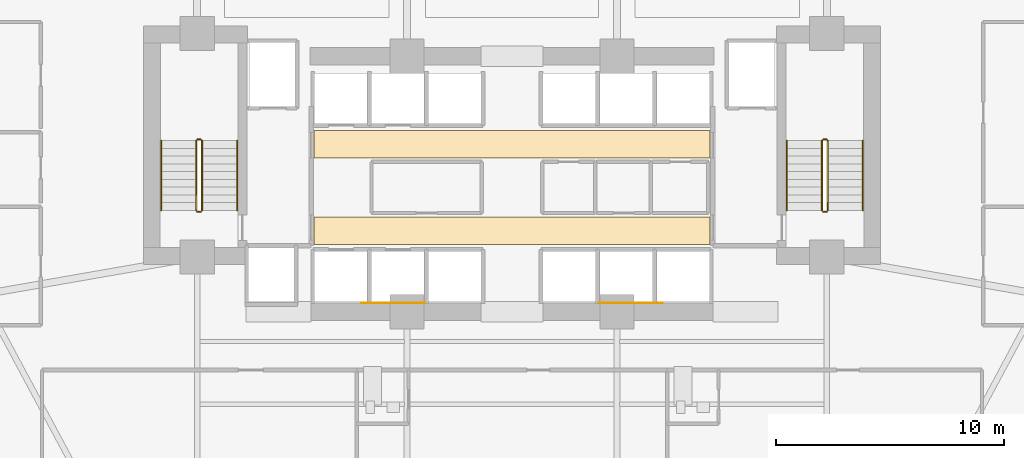
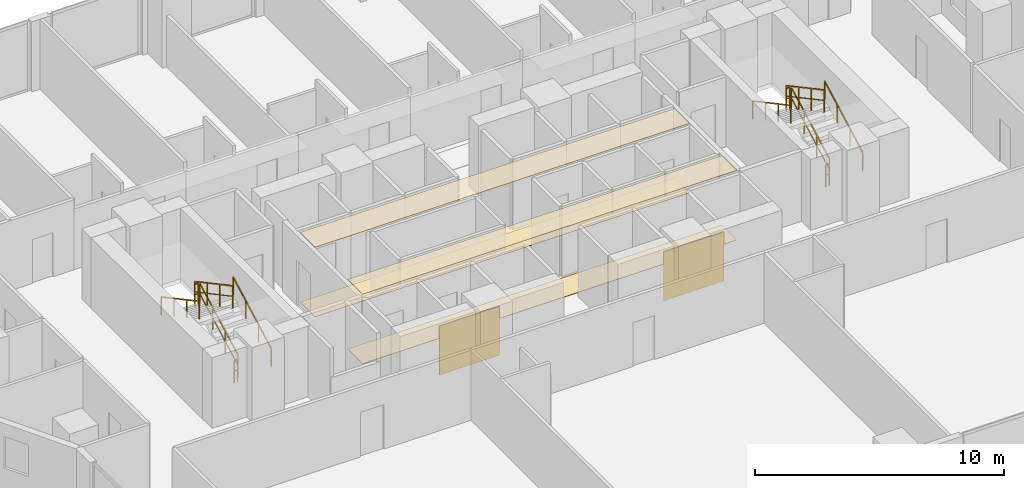
# One storey, part 27 of 29: 12 railings, 6 coverings.
"""IFC4 building model written with IfcOpenShell, lengths in metres."""

from ifc_helpers import new_model, si_unit, direction, frame, origin, origin_2d, place, context, subcontext, project, spatial, polyline, rectangle, outline, extrude, material, layer, layer_set, type_object, element, save


model = new_model("IFC4")

# Units and contexts
model_context = context("Model", 3, precision=1e-05, world=origin(), true_north=direction((0.0, 1.0)))
body_context = subcontext(model_context, "Body", "Model", "MODEL_VIEW")
ifc_project = project(units=[si_unit("LENGTHUNIT", "METRE"), si_unit("AREAUNIT", "SQUARE_METRE"), si_unit("VOLUMEUNIT", "CUBIC_METRE"), si_unit("PLANEANGLEUNIT", "RADIAN"), si_unit("MASSUNIT", "GRAM", prefix="KILO")], contexts=[model_context])

# Site, building, storey
site_placement = place(None, origin())
site = spatial("IfcSite", under=ifc_project, at=site_placement, CompositionType="ELEMENT")
building_placement = place(site_placement, origin())
building = spatial("IfcBuilding", under=site, at=building_placement, Name="Zuhayl Quay Hotel", CompositionType="ELEMENT")
storey_placement = place(building_placement, frame((0.0, 0.0, 113.89990234375)))
storey = spatial("IfcBuildingStorey", under=building, at=storey_placement, Name="L28", CompositionType="ELEMENT", Elevation=113.89990234375)

# Coverings
ifc_material_1 = material(Name="Acoustic Mineral-Fibre Gypsum Board")
ifc_layer_1 = layer(ifc_material_1, 0.02490234375, Name="Acoustic Mineral-Fibre Gypsum Board")
ifc_layer_set_1 = layer_set([ifc_layer_1], Name="Acoustic Mineral-Fibre Gypsum Board")
covering_type_1 = type_object("IfcCoveringType", Name="CV_CEIL_ACOUSTIC", PredefinedType="CEILING", material=ifc_layer_set_1)
covering_1_placement = place(storey_placement, frame((0.0, 0.0, 3.405029296875)))
element("IfcCovering", 1, at=covering_1_placement, inside=storey, type_object=covering_type_1, Name="L28 Suspended Acoustic Lobby Ceiling S", PredefinedType="CEILING", context=body_context, shape_type="SweptSolid", body=[
    extrude(outline(polyline([(-8.679931640625, 5.10009765625), (8.679931640625, 5.10009765625), (8.679931640625, 6.300048828125), (-8.679931640625, 6.300048828125), (-8.679931640625, 5.10009765625)])), origin(), (0.0, 0.0, 1.0), 0.025146484375),
])
covering_2_placement = place(storey_placement, frame((0.0, 0.0, 3.405029296875)))
element("IfcCovering", 2, at=covering_2_placement, inside=storey, type_object=covering_type_1, Name="L28 Suspended Acoustic Lobby Ceiling N", PredefinedType="CEILING", context=body_context, shape_type="SweptSolid", body=[
    extrude(outline(polyline([(-8.679931640625, 8.89990234375), (8.679931640625, 8.89990234375), (8.679931640625, 10.10009765625), (-8.679931640625, 10.10009765625), (-8.679931640625, 8.89990234375)])), origin(), (0.0, 0.0, 1.0), 0.025146484375),
])
ifc_material_2 = material(Name="Polished Limestone Terrazzo", Category="masonry")
ifc_layer_2 = layer(ifc_material_2, 0.02001953125, Name="Polished Limestone Terrazzo", Category="masonry")
ifc_layer_set_2 = layer_set([ifc_layer_2], Name="Polished Limestone Terrazzo")
covering_type_2 = type_object("IfcCoveringType", Name="CV_FLOOR_TERRAZZO", PredefinedType="FLOORING", material=ifc_layer_set_2)
covering_3_placement = place(storey_placement, origin())
element("IfcCovering", 3, at=covering_3_placement, inside=storey, type_object=covering_type_2, Name="L28 Honed Limestone Terrazzo Lobby Flooring S", PredefinedType="FLOORING", context=body_context, shape_type="SweptSolid", body=[
    extrude(outline(polyline([(-8.679931640625, 5.10009765625), (8.679931640625, 5.10009765625), (8.679931640625, 6.300048828125), (-8.679931640625, 6.300048828125), (-8.679931640625, 5.10009765625)])), origin(), (0.0, 0.0, 1.0), 0.02001953125),
])
covering_4_placement = place(storey_placement, origin())
element("IfcCovering", 4, at=covering_4_placement, inside=storey, type_object=covering_type_2, Name="L28 Honed Limestone Terrazzo Lobby Flooring N", PredefinedType="FLOORING", context=body_context, shape_type="SweptSolid", body=[
    extrude(outline(polyline([(-8.679931640625, 8.89990234375), (8.679931640625, 8.89990234375), (8.679931640625, 10.10009765625), (-8.679931640625, 10.10009765625), (-8.679931640625, 8.89990234375)])), origin(), (0.0, 0.0, 1.0), 0.02001953125),
])
ifc_material_3 = material(Name="Acoustic Walnut Feature Timber", Category="wood")
ifc_layer_3 = layer(ifc_material_3, 0.02197265625, Name="Acoustic Walnut Feature Timber", Category="wood")
ifc_layer_set_3 = layer_set([ifc_layer_3], Name="Acoustic Walnut Feature Timber")
covering_type_3 = type_object("IfcCoveringType", Name="CV_WALL_CLAD", PredefinedType="CLADDING", material=ifc_layer_set_3)
for number, where, z_axis, x_axis, name in (
    (5, (-5.199951171875, 2.535888671875, 0.300048828125), (0.0, 0.0, 1.0), (1.0, 0.0, 0.0), "L28 Feature Lobby Walnut Wall Cladding W"),
    (6, (5.199951171875, 2.535888671875, 0.300048828125), (0.0, 0.0, 1.0), (1.0, 0.0, 0.0), "L28 Feature Lobby Walnut Wall Cladding E"),
):
    element("IfcCovering", number, at=place(storey_placement, frame(where, z_axis=z_axis, x_axis=x_axis)), inside=storey, type_object=covering_type_3, Name=name, PredefinedType="CLADDING", context=body_context, shape_type="SweptSolid", body=[
        extrude(rectangle(XDim=2.800048828125, YDim=0.02197265625, at=origin_2d()), origin(), (0.0, 0.0, 1.0), 2.39990234375),
    ])

# Railings
ifc_material_4 = material(Name="Steel ASTM A992 Grade 50", Category="steel")
railing_type_1 = type_object("IfcRailingType", Name="RL_GUARD_1100", PredefinedType="GUARDRAIL", material=ifc_material_4)
railing_1_placement = place(storey_placement, frame((-13.590087890625, 6.590087890625, 0.1826171875)))
element("IfcRailing", 7, at=railing_1_placement, inside=storey, type_object=railing_type_1, Name="L28 ST1 stair guard 1", PredefinedType="GUARDRAIL", context=body_context, shape_type="SweptSolid", body=[
    extrude(rectangle(XDim=0.048095703125, YDim=0.048095703125, at=origin_2d()), frame((0.0, 0.0, 1.09619140625), z_axis=(0.0, 0.88107310026, 0.472980117973), x_axis=(-1.0, 0.0, 0.0)), (0.0, 0.0, 1.0), 3.472900390625),
    extrude(rectangle(XDim=0.0361328125, YDim=0.0361328125, at=origin_2d()), frame((0.0, 0.0, 0.58251953125), z_axis=(0.0, 0.88107310026, 0.472980117973), x_axis=(-1.0, 0.0, 0.0)), (0.0, 0.0, 1.0), 3.472900390625),
    extrude(rectangle(XDim=0.0419921875, YDim=0.0419921875, at=origin_2d()), origin(), (0.0, 0.0, 1.0), 1.072021484375),
    extrude(rectangle(XDim=0.0419921875, YDim=0.0419921875, at=origin_2d()), frame((0.0, 1.02001953125, 0.547607421875)), (0.0, 0.0, 1.0), 1.072021484375),
    extrude(rectangle(XDim=0.0419921875, YDim=0.0419921875, at=origin_2d()), frame((0.0, 2.039794921875, 1.094970703125)), (0.0, 0.0, 1.0), 1.072021484375),
    extrude(rectangle(XDim=0.0419921875, YDim=0.0419921875, at=origin_2d()), frame((0.0, 3.059814453125, 1.642578125)), (0.0, 0.0, 1.0), 1.072021484375),
])
railing_2_placement = place(storey_placement, frame((-13.639892578125, 9.699951171875, 1.8251953125)))
element("IfcRailing", 8, at=railing_2_placement, inside=storey, type_object=railing_type_1, Name="L28 ST1 stair guard 2", PredefinedType="GUARDRAIL", context=body_context, shape_type="SweptSolid", body=[
    extrude(rectangle(XDim=0.048095703125, YDim=0.048095703125, at=origin_2d()), frame((0.0, 0.0, 1.09619140625), z_axis=(-1.0, 0.0, 0.0), x_axis=(0.0, -1.0, 0.0)), (0.0, 0.0, 1.0), 0.150146484375),
    extrude(rectangle(XDim=0.0361328125, YDim=0.0361328125, at=origin_2d()), frame((0.0, 0.0, 0.58251953125), z_axis=(-1.0, 0.0, 0.0), x_axis=(0.0, -1.0, 0.0)), (0.0, 0.0, 1.0), 0.150146484375),
    extrude(rectangle(XDim=0.0419921875, YDim=0.0419921875, at=origin_2d()), origin(), (0.0, 0.0, 1.0), 1.072021484375),
    extrude(rectangle(XDim=0.0419921875, YDim=0.0419921875, at=origin_2d()), frame((-0.150146484375, 0.0, 0.0)), (0.0, 0.0, 1.0), 1.072021484375),
])
railing_3_placement = place(storey_placement, frame((-13.840087890625, 9.64990234375, 2.007568359375)))
element("IfcRailing", 9, at=railing_3_placement, inside=storey, type_object=railing_type_1, Name="L28 ST1 stair guard 3", PredefinedType="GUARDRAIL", context=body_context, shape_type="SweptSolid", body=[
    extrude(rectangle(XDim=0.048095703125, YDim=0.048095703125, at=origin_2d()), frame((0.0, 0.0, 1.09619140625), z_axis=(0.0, -0.88107310026, 0.472980117973), x_axis=(1.0, 0.0, 0.0)), (0.0, 0.0, 1.0), 3.472900390625),
    extrude(rectangle(XDim=0.0361328125, YDim=0.0361328125, at=origin_2d()), frame((0.0, 0.0, 0.58251953125), z_axis=(0.0, -0.88107310026, 0.472980117973), x_axis=(1.0, 0.0, 0.0)), (0.0, 0.0, 1.0), 3.472900390625),
    extrude(rectangle(XDim=0.0419921875, YDim=0.0419921875, at=origin_2d()), origin(), (0.0, 0.0, 1.0), 1.072021484375),
    extrude(rectangle(XDim=0.0419921875, YDim=0.0419921875, at=origin_2d()), frame((0.0, -1.02001953125, 0.547607421875)), (0.0, 0.0, 1.0), 1.072021484375),
    extrude(rectangle(XDim=0.0419921875, YDim=0.0419921875, at=origin_2d()), frame((0.0, -2.039794921875, 1.094970703125)), (0.0, 0.0, 1.0), 1.072021484375),
    extrude(rectangle(XDim=0.0419921875, YDim=0.0419921875, at=origin_2d()), frame((0.0, -3.059814453125, 1.642578125)), (0.0, 0.0, 1.0), 1.072021484375),
])
railing_4_placement = place(storey_placement, frame((-13.639892578125, 6.5400390625, 0.0)))
element("IfcRailing", 10, at=railing_4_placement, inside=storey, type_object=railing_type_1, Name="L28 ST1 stair guard 4", PredefinedType="GUARDRAIL", context=body_context, shape_type="SweptSolid", body=[
    extrude(rectangle(XDim=0.048095703125, YDim=0.048095703125, at=origin_2d()), frame((0.0, 0.0, 1.09619140625), z_axis=(-1.0, 0.0, 0.0), x_axis=(0.0, -1.0, 0.0)), (0.0, 0.0, 1.0), 0.150146484375),
    extrude(rectangle(XDim=0.0361328125, YDim=0.0361328125, at=origin_2d()), frame((0.0, 0.0, 0.58251953125), z_axis=(-1.0, 0.0, 0.0), x_axis=(0.0, -1.0, 0.0)), (0.0, 0.0, 1.0), 0.150146484375),
    extrude(rectangle(XDim=0.0419921875, YDim=0.0419921875, at=origin_2d()), origin(), (0.0, 0.0, 1.0), 1.072021484375),
    extrude(rectangle(XDim=0.0419921875, YDim=0.0419921875, at=origin_2d()), frame((-0.150146484375, 0.0, 0.0)), (0.0, 0.0, 1.0), 1.072021484375),
])
railing_5_placement = place(storey_placement, frame((13.840087890625, 6.590087890625, 0.1826171875)))
element("IfcRailing", 11, at=railing_5_placement, inside=storey, type_object=railing_type_1, Name="L28 ST2 stair guard 1", PredefinedType="GUARDRAIL", context=body_context, shape_type="SweptSolid", body=[
    extrude(rectangle(XDim=0.048095703125, YDim=0.048095703125, at=origin_2d()), frame((0.0, 0.0, 1.09619140625), z_axis=(0.0, 0.88107310026, 0.472980117973), x_axis=(-1.0, 0.0, 0.0)), (0.0, 0.0, 1.0), 3.472900390625),
    extrude(rectangle(XDim=0.0361328125, YDim=0.0361328125, at=origin_2d()), frame((0.0, 0.0, 0.58251953125), z_axis=(0.0, 0.88107310026, 0.472980117973), x_axis=(-1.0, 0.0, 0.0)), (0.0, 0.0, 1.0), 3.472900390625),
    extrude(rectangle(XDim=0.0419921875, YDim=0.0419921875, at=origin_2d()), origin(), (0.0, 0.0, 1.0), 1.072021484375),
    extrude(rectangle(XDim=0.0419921875, YDim=0.0419921875, at=origin_2d()), frame((0.0, 1.02001953125, 0.547607421875)), (0.0, 0.0, 1.0), 1.072021484375),
    extrude(rectangle(XDim=0.0419921875, YDim=0.0419921875, at=origin_2d()), frame((0.0, 2.039794921875, 1.094970703125)), (0.0, 0.0, 1.0), 1.072021484375),
    extrude(rectangle(XDim=0.0419921875, YDim=0.0419921875, at=origin_2d()), frame((0.0, 3.059814453125, 1.642578125)), (0.0, 0.0, 1.0), 1.072021484375),
])
railing_6_placement = place(storey_placement, frame((13.7900390625, 9.699951171875, 1.8251953125)))
element("IfcRailing", 12, at=railing_6_placement, inside=storey, type_object=railing_type_1, Name="L28 ST2 stair guard 2", PredefinedType="GUARDRAIL", context=body_context, shape_type="SweptSolid", body=[
    extrude(rectangle(XDim=0.048095703125, YDim=0.048095703125, at=origin_2d()), frame((0.0, 0.0, 1.09619140625), z_axis=(-1.0, 0.0, 0.0), x_axis=(0.0, -1.0, 0.0)), (0.0, 0.0, 1.0), 0.150146484375),
    extrude(rectangle(XDim=0.0361328125, YDim=0.0361328125, at=origin_2d()), frame((0.0, 0.0, 0.58251953125), z_axis=(-1.0, 0.0, 0.0), x_axis=(0.0, -1.0, 0.0)), (0.0, 0.0, 1.0), 0.150146484375),
    extrude(rectangle(XDim=0.0419921875, YDim=0.0419921875, at=origin_2d()), origin(), (0.0, 0.0, 1.0), 1.072021484375),
    extrude(rectangle(XDim=0.0419921875, YDim=0.0419921875, at=origin_2d()), frame((-0.150146484375, 0.0, 0.0)), (0.0, 0.0, 1.0), 1.072021484375),
])
railing_7_placement = place(storey_placement, frame((13.590087890625, 9.64990234375, 2.007568359375)))
element("IfcRailing", 13, at=railing_7_placement, inside=storey, type_object=railing_type_1, Name="L28 ST2 stair guard 3", PredefinedType="GUARDRAIL", context=body_context, shape_type="SweptSolid", body=[
    extrude(rectangle(XDim=0.048095703125, YDim=0.048095703125, at=origin_2d()), frame((0.0, 0.0, 1.09619140625), z_axis=(0.0, -0.88107310026, 0.472980117973), x_axis=(1.0, 0.0, 0.0)), (0.0, 0.0, 1.0), 3.472900390625),
    extrude(rectangle(XDim=0.0361328125, YDim=0.0361328125, at=origin_2d()), frame((0.0, 0.0, 0.58251953125), z_axis=(0.0, -0.88107310026, 0.472980117973), x_axis=(1.0, 0.0, 0.0)), (0.0, 0.0, 1.0), 3.472900390625),
    extrude(rectangle(XDim=0.0419921875, YDim=0.0419921875, at=origin_2d()), origin(), (0.0, 0.0, 1.0), 1.072021484375),
    extrude(rectangle(XDim=0.0419921875, YDim=0.0419921875, at=origin_2d()), frame((0.0, -1.02001953125, 0.547607421875)), (0.0, 0.0, 1.0), 1.072021484375),
    extrude(rectangle(XDim=0.0419921875, YDim=0.0419921875, at=origin_2d()), frame((0.0, -2.039794921875, 1.094970703125)), (0.0, 0.0, 1.0), 1.072021484375),
    extrude(rectangle(XDim=0.0419921875, YDim=0.0419921875, at=origin_2d()), frame((0.0, -3.059814453125, 1.642578125)), (0.0, 0.0, 1.0), 1.072021484375),
])
railing_8_placement = place(storey_placement, frame((13.7900390625, 6.5400390625, 0.0)))
element("IfcRailing", 14, at=railing_8_placement, inside=storey, type_object=railing_type_1, Name="L28 ST2 stair guard 4", PredefinedType="GUARDRAIL", context=body_context, shape_type="SweptSolid", body=[
    extrude(rectangle(XDim=0.048095703125, YDim=0.048095703125, at=origin_2d()), frame((0.0, 0.0, 1.09619140625), z_axis=(-1.0, 0.0, 0.0), x_axis=(0.0, -1.0, 0.0)), (0.0, 0.0, 1.0), 0.150146484375),
    extrude(rectangle(XDim=0.0361328125, YDim=0.0361328125, at=origin_2d()), frame((0.0, 0.0, 0.58251953125), z_axis=(-1.0, 0.0, 0.0), x_axis=(0.0, -1.0, 0.0)), (0.0, 0.0, 1.0), 0.150146484375),
    extrude(rectangle(XDim=0.0419921875, YDim=0.0419921875, at=origin_2d()), origin(), (0.0, 0.0, 1.0), 1.072021484375),
    extrude(rectangle(XDim=0.0419921875, YDim=0.0419921875, at=origin_2d()), frame((-0.150146484375, 0.0, 0.0)), (0.0, 0.0, 1.0), 1.072021484375),
])
railing_type_2 = type_object("IfcRailingType", Name="RL_HANDRAIL_920", PredefinedType="HANDRAIL", material=ifc_material_4)
railing_9_placement = place(storey_placement, frame((-12.050048828125, 6.590087890625, 0.1826171875)))
element("IfcRailing", 15, at=railing_9_placement, inside=storey, type_object=railing_type_2, Name="L28 ST1 stair handrail 1", PredefinedType="HANDRAIL", context=body_context, shape_type="SweptSolid", body=[
    extrude(rectangle(XDim=0.048095703125, YDim=0.048095703125, at=origin_2d()), frame((0.0, 0.0, 0.8759765625), z_axis=(0.0, 0.88107310026, 0.472980117973), x_axis=(-1.0, 0.0, 0.0)), (0.0, 0.0, 1.0), 3.472900390625),
    extrude(rectangle(XDim=0.0419921875, YDim=0.0419921875, at=origin_2d()), origin(), (0.0, 0.0, 1.0), 0.851806640625),
    extrude(rectangle(XDim=0.0419921875, YDim=0.0419921875, at=origin_2d()), frame((0.0, 1.02001953125, 0.547607421875)), (0.0, 0.0, 1.0), 0.851806640625),
    extrude(rectangle(XDim=0.0419921875, YDim=0.0419921875, at=origin_2d()), frame((0.0, 2.039794921875, 1.094970703125)), (0.0, 0.0, 1.0), 0.851806640625),
    extrude(rectangle(XDim=0.0419921875, YDim=0.0419921875, at=origin_2d()), frame((0.0, 3.059814453125, 1.642578125)), (0.0, 0.0, 1.0), 0.851806640625),
])
railing_10_placement = place(storey_placement, frame((-15.3798828125, 9.64990234375, 2.007568359375)))
element("IfcRailing", 16, at=railing_10_placement, inside=storey, type_object=railing_type_2, Name="L28 ST1 stair handrail 2", PredefinedType="HANDRAIL", context=body_context, shape_type="SweptSolid", body=[
    extrude(rectangle(XDim=0.048095703125, YDim=0.048095703125, at=origin_2d()), frame((0.0, 0.0, 0.8759765625), z_axis=(0.0, -0.88107310026, 0.472980117973), x_axis=(1.0, 0.0, 0.0)), (0.0, 0.0, 1.0), 3.472900390625),
    extrude(rectangle(XDim=0.0419921875, YDim=0.0419921875, at=origin_2d()), origin(), (0.0, 0.0, 1.0), 0.851806640625),
    extrude(rectangle(XDim=0.0419921875, YDim=0.0419921875, at=origin_2d()), frame((0.0, -1.02001953125, 0.547607421875)), (0.0, 0.0, 1.0), 0.851806640625),
    extrude(rectangle(XDim=0.0419921875, YDim=0.0419921875, at=origin_2d()), frame((0.0, -2.039794921875, 1.094970703125)), (0.0, 0.0, 1.0), 0.851806640625),
    extrude(rectangle(XDim=0.0419921875, YDim=0.0419921875, at=origin_2d()), frame((0.0, -3.059814453125, 1.642578125)), (0.0, 0.0, 1.0), 0.851806640625),
])
railing_11_placement = place(storey_placement, frame((15.3798828125, 6.590087890625, 0.1826171875)))
element("IfcRailing", 17, at=railing_11_placement, inside=storey, type_object=railing_type_2, Name="L28 ST2 stair handrail 1", PredefinedType="HANDRAIL", context=body_context, shape_type="SweptSolid", body=[
    extrude(rectangle(XDim=0.048095703125, YDim=0.048095703125, at=origin_2d()), frame((0.0, 0.0, 0.8759765625), z_axis=(0.0, 0.88107310026, 0.472980117973), x_axis=(-1.0, 0.0, 0.0)), (0.0, 0.0, 1.0), 3.472900390625),
    extrude(rectangle(XDim=0.0419921875, YDim=0.0419921875, at=origin_2d()), origin(), (0.0, 0.0, 1.0), 0.851806640625),
    extrude(rectangle(XDim=0.0419921875, YDim=0.0419921875, at=origin_2d()), frame((0.0, 1.02001953125, 0.547607421875)), (0.0, 0.0, 1.0), 0.851806640625),
    extrude(rectangle(XDim=0.0419921875, YDim=0.0419921875, at=origin_2d()), frame((0.0, 2.039794921875, 1.094970703125)), (0.0, 0.0, 1.0), 0.851806640625),
    extrude(rectangle(XDim=0.0419921875, YDim=0.0419921875, at=origin_2d()), frame((0.0, 3.059814453125, 1.642578125)), (0.0, 0.0, 1.0), 0.851806640625),
])
railing_12_placement = place(storey_placement, frame((12.050048828125, 9.64990234375, 2.007568359375)))
element("IfcRailing", 18, at=railing_12_placement, inside=storey, type_object=railing_type_2, Name="L28 ST2 stair handrail 2", PredefinedType="HANDRAIL", context=body_context, shape_type="SweptSolid", body=[
    extrude(rectangle(XDim=0.048095703125, YDim=0.048095703125, at=origin_2d()), frame((0.0, 0.0, 0.8759765625), z_axis=(0.0, -0.88107310026, 0.472980117973), x_axis=(1.0, 0.0, 0.0)), (0.0, 0.0, 1.0), 3.472900390625),
    extrude(rectangle(XDim=0.0419921875, YDim=0.0419921875, at=origin_2d()), origin(), (0.0, 0.0, 1.0), 0.851806640625),
    extrude(rectangle(XDim=0.0419921875, YDim=0.0419921875, at=origin_2d()), frame((0.0, -1.02001953125, 0.547607421875)), (0.0, 0.0, 1.0), 0.851806640625),
    extrude(rectangle(XDim=0.0419921875, YDim=0.0419921875, at=origin_2d()), frame((0.0, -2.039794921875, 1.094970703125)), (0.0, 0.0, 1.0), 0.851806640625),
    extrude(rectangle(XDim=0.0419921875, YDim=0.0419921875, at=origin_2d()), frame((0.0, -3.059814453125, 1.642578125)), (0.0, 0.0, 1.0), 0.851806640625),
])

save(model, "model.ifc")
